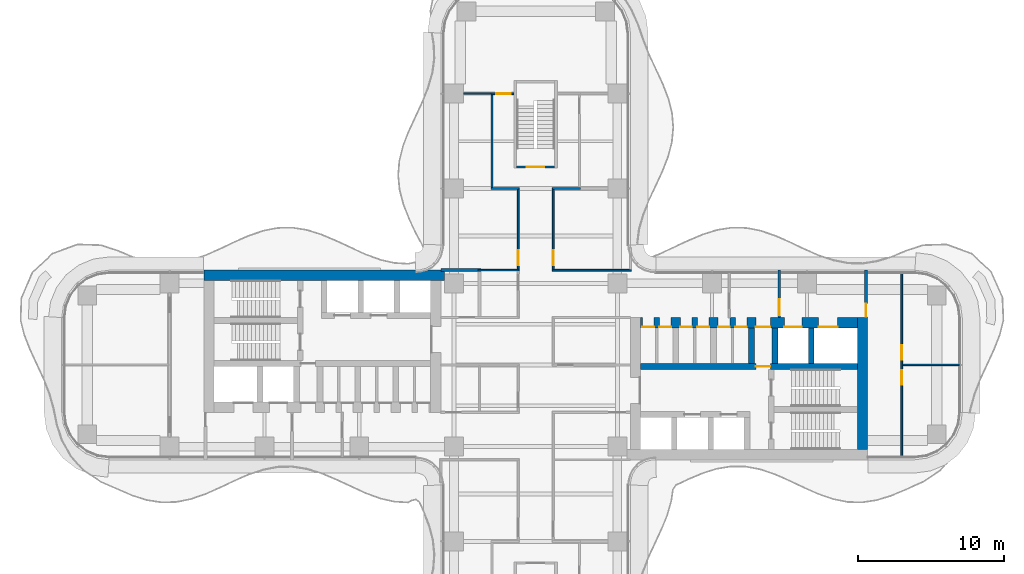
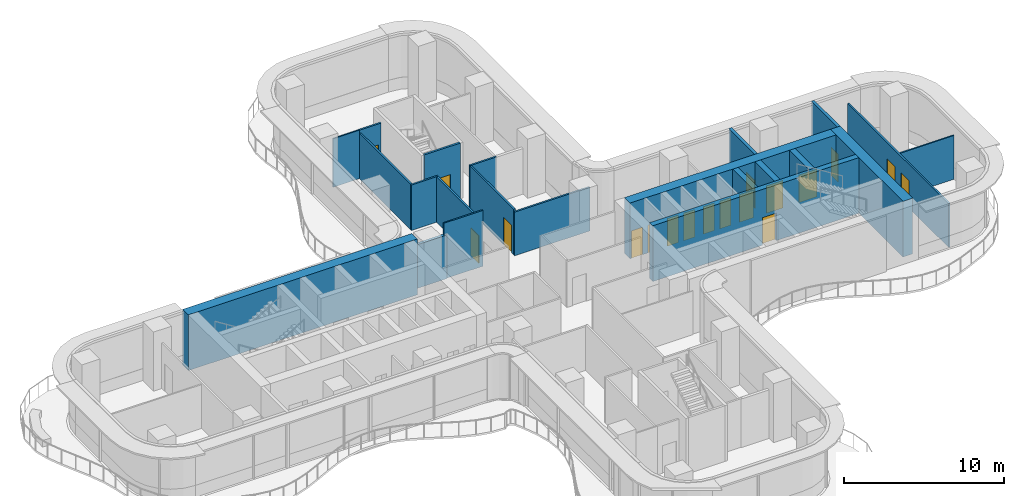
# One storey, part 17 of 20: 22 walls, 18 doors, 18 openings.
"""IFC4 building model written with IfcOpenShell, lengths in metres."""

from ifc_helpers import new_model, si_unit, direction, frame, frame_2d, origin, place, context, subcontext, project, spatial, rectangle, extrude, source, transform, mapped, material, layer, layer_set, type_object, element, fill, save


model = new_model("IFC4")

# Units and contexts
model_context = context("Model", 3, precision=1e-05, world=origin(), true_north=direction((0.0, 1.0)))
body_context = subcontext(model_context, "Body", "Model", "MODEL_VIEW")
ifc_project = project(units=[si_unit("LENGTHUNIT", "METRE"), si_unit("AREAUNIT", "SQUARE_METRE"), si_unit("VOLUMEUNIT", "CUBIC_METRE"), si_unit("PLANEANGLEUNIT", "RADIAN"), si_unit("MASSUNIT", "GRAM", prefix="KILO")], contexts=[model_context])

# Site, building, storey
site_placement = place(None, origin())
site = spatial("IfcSite", under=ifc_project, at=site_placement, CompositionType="ELEMENT")
building_placement = place(site_placement, origin())
building = spatial("IfcBuilding", under=site, at=building_placement, Name="Trellis Farm Tower", CompositionType="ELEMENT")
storey_placement = place(building_placement, frame((0.0, 0.0, 142.5)))
storey = spatial("IfcBuildingStorey", under=building, at=storey_placement, Name="L30", CompositionType="ELEMENT", Elevation=142.5)

# Walls
ifc_material_1 = material(Name="Concrete C70/85", Category="concrete")
ifc_layer_1 = layer(ifc_material_1, 0.699951171875)
ifc_layer_set_1 = layer_set([ifc_layer_1], Name="CORE OUTER WALL 700 CONCRETE C70/85")
wall_type_1 = type_object("IfcWallType", Name="CORE OUTER WALL 700 CONCRETE C70/85", PredefinedType="SHEAR", material=ifc_layer_set_1)
shared_shape_1 = source(origin(), body_context, "Body", "SweptSolid", [
    extrude(rectangle(XDim=9.050048828125, YDim=0.699951171875, at=frame_2d((4.52490234375, 0.0))), origin(), (0.0, 0.0, 1.0), 4.25),
])
wall_1_placement = place(storey_placement, frame((22.39990234375, -5.800048828125, 0.0), z_axis=(0.0, 0.0, 1.0), x_axis=(0.0, 1.0, 0.0)))
element("IfcWall", 1, at=wall_1_placement, inside=storey, type_object=wall_type_1, Name="Core wall", PredefinedType="SHEAR", context=body_context, shape_type="MappedRepresentation", body=[
    mapped(shared_shape_1, transform((0.0, 0.0, 0.0))),
])
ifc_layer_2 = layer(ifc_material_1, 0.39990234375)
ifc_layer_set_2 = layer_set([ifc_layer_2], Name="CORE INNER WALL 400 CONCRETE C70/85")
wall_type_2 = type_object("IfcWallType", Name="CORE INNER WALL 400 CONCRETE C70/85", PredefinedType="SHEAR", material=ifc_layer_set_2)
shared_shape_2 = source(origin(), body_context, "Body", "SweptSolid", [
    extrude(rectangle(XDim=2.449951171875, YDim=0.39990234375, at=frame_2d((1.22509765625, 0.0))), origin(), (0.0, 0.0, 1.0), 4.25),
])
for number, where, z_axis, x_axis, name in (
    (2, (14.800048828125, 0.10009765625, 0.0), (0.0, 0.0, 1.0), (0.0, 1.0, 0.0), "Core wall"),
    (3, (16.39990234375, 0.10009765625, 0.0), (0.0, 0.0, 1.0), (0.0, 1.0, 0.0), "Core wall"),
    (4, (18.89990234375, 0.10009765625, 0.0), (0.0, 0.0, 1.0), (0.0, 1.0, 0.0), "Core wall"),
):
    element("IfcWall", number, at=place(storey_placement, frame(where, z_axis=z_axis, x_axis=x_axis)), inside=storey, type_object=wall_type_2, Name=name, PredefinedType="SHEAR", context=body_context, shape_type="MappedRepresentation", body=[
        mapped(shared_shape_2, transform((0.0, 0.0, 0.0))),
    ])

# Wall, opening, door
ifc_material_2 = material(Name="Masonry blockwork", Category="masonry")
ifc_layer_3 = layer(ifc_material_2, 0.199951171875)
ifc_layer_set_3 = layer_set([ifc_layer_3], Name="FIRE LOBBY PARTITION 200 BLOCKWORK")
wall_type_3 = type_object("IfcWallType", Name="FIRE LOBBY PARTITION 200 BLOCKWORK", PredefinedType="PARTITIONING", material=ifc_layer_set_3)
shared_shape_3 = source(origin(), body_context, "Body", "SweptSolid", [
    extrude(rectangle(XDim=3.25, YDim=0.199951171875, at=frame_2d((1.625, 0.0))), origin(), (0.0, 0.0, 1.0), 4.25),
])
wall_2_placement = place(storey_placement, frame((16.699951171875, 3.25, 0.0), z_axis=(0.0, 0.0, 1.0), x_axis=(0.0, 1.0, 0.0)))
wall_2 = element("IfcWall", 5, at=wall_2_placement, inside=storey, type_object=wall_type_3, Name="Fire-fighting lobby partition", PredefinedType="PARTITIONING", context=body_context, shape_type="MappedRepresentation", body=[
    mapped(shared_shape_3, transform((0.0, 0.0, 0.0))),
])
shared_shape_4 = source(origin(), body_context, "Body", "SweptSolid", [
    extrude(rectangle(XDim=1.10009765625, YDim=2.10009765625, at=frame_2d((0.550048828125, 1.050048828125))), frame((0.0, 0.110107421875, 0.0), z_axis=(0.0, -1.0, 0.0), x_axis=(1.0, 0.0, 0.0)), (0.0, 0.0, 1.0), 0.22021484375),
])
opening_1_placement = place(wall_2_placement, frame((0.14990234375, 0.0, 0.0)))
opening_1 = element("IfcOpeningElement", 6, at=opening_1_placement, cuts=wall_2, Name="Opening DC7", PredefinedType="OPENING", context=body_context, shape_type="MappedRepresentation", body=[
    mapped(shared_shape_4, transform((0.0, 0.0, 0.0))),
])
ifc_material_3 = material(Name="Steel", Category="steel")
door_type_1 = type_object("IfcDoorType", Name="CORE FIRE DOOR 1100 X 2100", OperationType="NOTDEFINED", PredefinedType="DOOR", material=ifc_material_3)
shared_shape_5 = source(origin(), body_context, "Body", "SweptSolid", [
    extrude(rectangle(XDim=1.10009765625, YDim=2.10009765625, at=frame_2d((0.550048828125, 1.050048828125))), frame((0.0, 0.02490234375, 0.0), z_axis=(0.0, -1.0, 0.0), x_axis=(1.0, 0.0, 0.0)), (0.0, 0.0, 1.0), 0.050048828125),
])
door_1_placement = place(opening_1_placement, origin())
door_1 = element("IfcDoor", 7, at=door_1_placement, inside=storey, type_object=door_type_1, Name="Core door", OperationType="SINGLE_SWING_RIGHT", OverallHeight=2.10009765625, OverallWidth=1.10009765625, PredefinedType="DOOR", context=body_context, shape_type="MappedRepresentation", body=[
    mapped(shared_shape_5, transform((0.0, 0.0, 0.0))),
])
fill(opening_1, door_1)

wall_3_placement = place(storey_placement, frame((22.64990234375, 3.25, 0.0), z_axis=(0.0, 0.0, 1.0), x_axis=(0.0, 1.0, 0.0)))
wall_3 = element("IfcWall", 8, at=wall_3_placement, inside=storey, type_object=wall_type_3, Name="Fire-fighting lobby partition", PredefinedType="PARTITIONING", context=body_context, shape_type="MappedRepresentation", body=[
    mapped(shared_shape_3, transform((0.0, 0.0, 0.0))),
])
shared_shape_6 = source(origin(), body_context, "Body", "SweptSolid", [
    extrude(rectangle(XDim=0.89990234375, YDim=2.10009765625, at=frame_2d((0.449951171875, 1.050048828125))), frame((0.0, 0.110107421875, 0.0), z_axis=(0.0, -1.0, 0.0), x_axis=(1.0, 0.0, 0.0)), (0.0, 0.0, 1.0), 0.22021484375),
])
opening_2_placement = place(wall_3_placement, frame((0.050048828125, 0.0, 0.0)))
opening_2 = element("IfcOpeningElement", 9, at=opening_2_placement, cuts=wall_3, Name="Opening DC8", PredefinedType="OPENING", context=body_context, shape_type="MappedRepresentation", body=[
    mapped(shared_shape_6, transform((0.0, 0.0, 0.0))),
])
door_type_2 = type_object("IfcDoorType", Name="CORE FIRE DOOR 900 X 2100", OperationType="NOTDEFINED", PredefinedType="DOOR", material=ifc_material_3)
shared_shape_7 = source(origin(), body_context, "Body", "SweptSolid", [
    extrude(rectangle(XDim=0.89990234375, YDim=2.10009765625, at=frame_2d((0.449951171875, 1.050048828125))), frame((0.0, 0.02490234375, 0.0), z_axis=(0.0, -1.0, 0.0), x_axis=(1.0, 0.0, 0.0)), (0.0, 0.0, 1.0), 0.050048828125),
])
door_2_placement = place(opening_2_placement, origin())
door_2 = element("IfcDoor", 10, at=door_2_placement, inside=storey, type_object=door_type_2, Name="Core door", OperationType="SINGLE_SWING_RIGHT", OverallHeight=2.10009765625, OverallWidth=0.89990234375, PredefinedType="DOOR", context=body_context, shape_type="MappedRepresentation", body=[
    mapped(shared_shape_7, transform((0.0, 0.0, 0.0))),
])
fill(opening_2, door_2)

# Wall, openings, doors
shared_shape_8 = source(origin(), body_context, "Body", "SweptSolid", [
    extrude(rectangle(XDim=14.85009765625, YDim=0.699951171875, at=frame_2d((7.425048828125, 0.0))), origin(), (0.0, 0.0, 1.0), 4.25),
])
wall_4_placement = place(storey_placement, frame((7.199951171875, 2.89990234375, 0.0), z_axis=(0.0, 0.0, 1.0), x_axis=(1.0, 0.0, 0.0)))
wall_4 = element("IfcWall", 11, at=wall_4_placement, inside=storey, type_object=wall_type_1, Name="Core wall", PredefinedType="SHEAR", context=body_context, shape_type="MappedRepresentation", body=[
    mapped(shared_shape_8, transform((0.0, 0.0, 0.0))),
])
shared_shape_9 = source(origin(), body_context, "Body", "SweptSolid", [
    extrude(rectangle(XDim=1.300048828125, YDim=2.10009765625, at=frame_2d((0.64990234375, 1.050048828125))), frame((0.0, 0.360107421875, 0.0), z_axis=(0.0, -1.0, 0.0), x_axis=(1.0, 0.0, 0.0)), (0.0, 0.0, 1.0), 0.72021484375),
])
opening_3_placement = place(wall_4_placement, frame((12.199951171875, 0.0, 0.0)))
opening_3 = element("IfcOpeningElement", 12, at=opening_3_placement, cuts=wall_4, Name="Opening LD7", PredefinedType="OPENING", context=body_context, shape_type="MappedRepresentation", body=[
    mapped(shared_shape_9, transform((0.0, 0.0, 0.0))),
])
shared_shape_10 = source(origin(), body_context, "Body", "SweptSolid", [
    extrude(rectangle(XDim=1.199951171875, YDim=2.10009765625, at=frame_2d((0.60009765625, 1.050048828125))), frame((0.0, 0.360107421875, 0.0), z_axis=(0.0, -1.0, 0.0), x_axis=(1.0, 0.0, 0.0)), (0.0, 0.0, 1.0), 0.72021484375),
])
opening_4_placement = place(wall_4_placement, frame((9.85009765625, 0.0, 0.0)))
opening_4 = element("IfcOpeningElement", 13, at=opening_4_placement, cuts=wall_4, Name="Opening LD8", PredefinedType="OPENING", context=body_context, shape_type="MappedRepresentation", body=[
    mapped(shared_shape_10, transform((0.0, 0.0, 0.0))),
])
shared_shape_11 = source(origin(), body_context, "Body", "SweptSolid", [
    extrude(rectangle(XDim=1.0, YDim=2.10009765625, at=frame_2d((0.5, 1.050048828125))), frame((0.0, 0.360107421875, 0.0), z_axis=(0.0, -1.0, 0.0), x_axis=(1.0, 0.0, 0.0)), (0.0, 0.0, 1.0), 0.72021484375),
])
opening_5_placement = place(wall_4_placement, frame((7.89990234375, 0.0, 0.0)))
opening_5 = element("IfcOpeningElement", 14, at=opening_5_placement, cuts=wall_4, Name="Opening DC6", PredefinedType="OPENING", context=body_context, shape_type="MappedRepresentation", body=[
    mapped(shared_shape_11, transform((0.0, 0.0, 0.0))),
])
shared_shape_12 = source(origin(), body_context, "Body", "SweptSolid", [
    extrude(rectangle(XDim=0.800048828125, YDim=2.10009765625, at=frame_2d((0.39990234375, 1.050048828125))), frame((0.0, 0.360107421875, 0.0), z_axis=(0.0, -1.0, 0.0), x_axis=(1.0, 0.0, 0.0)), (0.0, 0.0, 1.0), 0.72021484375),
])
opening_6_placement = place(wall_4_placement, frame((0.112548828125, 0.0, 0.0)))
opening_6 = element("IfcOpeningElement", 15, at=opening_6_placement, cuts=wall_4, Name="Opening DC9", PredefinedType="OPENING", context=body_context, shape_type="MappedRepresentation", body=[
    mapped(shared_shape_12, transform((0.0, 0.0, 0.0))),
])
opening_7_placement = place(wall_4_placement, frame((1.28759765625, 0.0, 0.0)))
opening_7 = element("IfcOpeningElement", 16, at=opening_7_placement, cuts=wall_4, Name="Opening DC16", PredefinedType="OPENING", context=body_context, shape_type="MappedRepresentation", body=[
    mapped(shared_shape_12, transform((0.0, 0.0, 0.0))),
])
opening_8_placement = place(wall_4_placement, frame((2.71240234375, 0.0, 0.0)))
opening_8 = element("IfcOpeningElement", 17, at=opening_8_placement, cuts=wall_4, Name="Opening DC21", PredefinedType="OPENING", context=body_context, shape_type="MappedRepresentation", body=[
    mapped(shared_shape_12, transform((0.0, 0.0, 0.0))),
])
opening_9_placement = place(wall_4_placement, frame((3.887451171875, 0.0, 0.0)))
opening_9 = element("IfcOpeningElement", 18, at=opening_9_placement, cuts=wall_4, Name="Opening DC28", PredefinedType="OPENING", context=body_context, shape_type="MappedRepresentation", body=[
    mapped(shared_shape_12, transform((0.0, 0.0, 0.0))),
])
opening_10_placement = place(wall_4_placement, frame((5.3125, 0.0, 0.0)))
opening_10 = element("IfcOpeningElement", 19, at=opening_10_placement, cuts=wall_4, Name="Opening DC33", PredefinedType="OPENING", context=body_context, shape_type="MappedRepresentation", body=[
    mapped(shared_shape_12, transform((0.0, 0.0, 0.0))),
])
opening_11_placement = place(wall_4_placement, frame((6.487548828125, 0.0, 0.0)))
opening_11 = element("IfcOpeningElement", 20, at=opening_11_placement, cuts=wall_4, Name="Opening DC40", PredefinedType="OPENING", context=body_context, shape_type="MappedRepresentation", body=[
    mapped(shared_shape_12, transform((0.0, 0.0, 0.0))),
])
door_type_3 = type_object("IfcDoorType", Name="CORE FIRE DOOR 1000 X 2100", OperationType="NOTDEFINED", PredefinedType="DOOR", material=ifc_material_3)
shared_shape_13 = source(origin(), body_context, "Body", "SweptSolid", [
    extrude(rectangle(XDim=1.0, YDim=2.10009765625, at=frame_2d((0.5, 1.050048828125))), frame((0.0, -0.27490234375, 0.0), z_axis=(0.0, -1.0, 0.0), x_axis=(1.0, 0.0, 0.0)), (0.0, 0.0, 1.0), 0.050048828125),
])
door_3_placement = place(opening_5_placement, origin())
door_3 = element("IfcDoor", 21, at=door_3_placement, inside=storey, type_object=door_type_3, Name="Core door", OperationType="SINGLE_SWING_LEFT", OverallHeight=2.10009765625, OverallWidth=1.0, PredefinedType="DOOR", context=body_context, shape_type="MappedRepresentation", body=[
    mapped(shared_shape_13, transform((0.0, 0.0, 0.0))),
])
fill(opening_5, door_3)
ifc_material_4 = material(Name="Stainless steel", Category="steel")
door_type_4 = type_object("IfcDoorType", Name="LIFT LANDING DOOR 1300 X 2100", OperationType="DOUBLE_DOOR_SLIDING", PredefinedType="DOOR", material=ifc_material_4)
shared_shape_14 = source(origin(), body_context, "Body", "SweptSolid", [
    extrude(rectangle(XDim=1.300048828125, YDim=2.10009765625, at=frame_2d((0.64990234375, 1.050048828125))), frame((0.0, -0.27490234375, 0.0), z_axis=(0.0, -1.0, 0.0), x_axis=(1.0, 0.0, 0.0)), (0.0, 0.0, 1.0), 0.050048828125),
])
door_4_placement = place(opening_3_placement, origin())
door_4 = element("IfcDoor", 22, at=door_4_placement, inside=storey, type_object=door_type_4, Name="Lift landing door", OperationType="DOUBLE_DOOR_SLIDING", OverallHeight=2.10009765625, OverallWidth=1.300048828125, PredefinedType="DOOR", context=body_context, shape_type="MappedRepresentation", body=[
    mapped(shared_shape_14, transform((0.0, 0.0, 0.0))),
])
fill(opening_3, door_4)
door_type_5 = type_object("IfcDoorType", Name="LIFT LANDING DOOR 1200 X 2100", OperationType="DOUBLE_DOOR_SLIDING", PredefinedType="DOOR", material=ifc_material_4)
shared_shape_15 = source(origin(), body_context, "Body", "SweptSolid", [
    extrude(rectangle(XDim=1.199951171875, YDim=2.10009765625, at=frame_2d((0.60009765625, 1.050048828125))), frame((0.0, -0.27490234375, 0.0), z_axis=(0.0, -1.0, 0.0), x_axis=(1.0, 0.0, 0.0)), (0.0, 0.0, 1.0), 0.050048828125),
])
door_5_placement = place(opening_4_placement, origin())
door_5 = element("IfcDoor", 23, at=door_5_placement, inside=storey, type_object=door_type_5, Name="Lift landing door", OperationType="DOUBLE_DOOR_SLIDING", OverallHeight=2.10009765625, OverallWidth=1.199951171875, PredefinedType="DOOR", context=body_context, shape_type="MappedRepresentation", body=[
    mapped(shared_shape_15, transform((0.0, 0.0, 0.0))),
])
fill(opening_4, door_5)
door_type_6 = type_object("IfcDoorType", Name="CORE FIRE DOOR 800 X 2100", OperationType="NOTDEFINED", PredefinedType="DOOR", material=ifc_material_3)
shared_shape_16 = source(origin(), body_context, "Body", "SweptSolid", [
    extrude(rectangle(XDim=0.800048828125, YDim=2.10009765625, at=frame_2d((0.39990234375, 1.050048828125))), frame((0.0, -0.27490234375, 0.0), z_axis=(0.0, -1.0, 0.0), x_axis=(1.0, 0.0, 0.0)), (0.0, 0.0, 1.0), 0.050048828125),
])
door_6_placement = place(opening_6_placement, origin())
door_6 = element("IfcDoor", 24, at=door_6_placement, inside=storey, type_object=door_type_6, Name="Core door", OperationType="SINGLE_SWING_LEFT", OverallHeight=2.10009765625, OverallWidth=0.800048828125, PredefinedType="DOOR", context=body_context, shape_type="MappedRepresentation", body=[
    mapped(shared_shape_16, transform((0.0, 0.0, 0.0))),
])
fill(opening_6, door_6)
door_7_placement = place(opening_7_placement, origin())
door_7 = element("IfcDoor", 25, at=door_7_placement, inside=storey, type_object=door_type_6, Name="Core door", OperationType="SINGLE_SWING_RIGHT", OverallHeight=2.10009765625, OverallWidth=0.800048828125, PredefinedType="DOOR", context=body_context, shape_type="MappedRepresentation", body=[
    mapped(shared_shape_16, transform((0.0, 0.0, 0.0))),
])
fill(opening_7, door_7)
door_8_placement = place(opening_8_placement, origin())
door_8 = element("IfcDoor", 26, at=door_8_placement, inside=storey, type_object=door_type_6, Name="Core door", OperationType="SINGLE_SWING_LEFT", OverallHeight=2.10009765625, OverallWidth=0.800048828125, PredefinedType="DOOR", context=body_context, shape_type="MappedRepresentation", body=[
    mapped(shared_shape_16, transform((0.0, 0.0, 0.0))),
])
fill(opening_8, door_8)
door_9_placement = place(opening_9_placement, origin())
door_9 = element("IfcDoor", 27, at=door_9_placement, inside=storey, type_object=door_type_6, Name="Core door", OperationType="SINGLE_SWING_RIGHT", OverallHeight=2.10009765625, OverallWidth=0.800048828125, PredefinedType="DOOR", context=body_context, shape_type="MappedRepresentation", body=[
    mapped(shared_shape_16, transform((0.0, 0.0, 0.0))),
])
fill(opening_9, door_9)
door_10_placement = place(opening_10_placement, origin())
door_10 = element("IfcDoor", 28, at=door_10_placement, inside=storey, type_object=door_type_6, Name="Core door", OperationType="SINGLE_SWING_LEFT", OverallHeight=2.10009765625, OverallWidth=0.800048828125, PredefinedType="DOOR", context=body_context, shape_type="MappedRepresentation", body=[
    mapped(shared_shape_16, transform((0.0, 0.0, 0.0))),
])
fill(opening_10, door_10)
door_11_placement = place(opening_11_placement, origin())
door_11 = element("IfcDoor", 29, at=door_11_placement, inside=storey, type_object=door_type_6, Name="Core door", OperationType="SINGLE_SWING_RIGHT", OverallHeight=2.10009765625, OverallWidth=0.800048828125, PredefinedType="DOOR", context=body_context, shape_type="MappedRepresentation", body=[
    mapped(shared_shape_16, transform((0.0, 0.0, 0.0))),
])
fill(opening_11, door_11)

# Wall, opening, door
shared_shape_17 = source(origin(), body_context, "Body", "SweptSolid", [
    extrude(rectangle(XDim=14.85009765625, YDim=0.39990234375, at=frame_2d((7.425048828125, 0.0))), origin(), (0.0, 0.0, 1.0), 4.25),
])
wall_5_placement = place(storey_placement, frame((7.199951171875, -0.10009765625, 0.0), z_axis=(0.0, 0.0, 1.0), x_axis=(1.0, 0.0, 0.0)))
wall_5 = element("IfcWall", 30, at=wall_5_placement, inside=storey, type_object=wall_type_2, Name="Core wall", PredefinedType="SHEAR", context=body_context, shape_type="MappedRepresentation", body=[
    mapped(shared_shape_17, transform((0.0, 0.0, 0.0))),
])
shared_shape_18 = source(origin(), body_context, "Body", "SweptSolid", [
    extrude(rectangle(XDim=1.0, YDim=2.10009765625, at=frame_2d((0.5, 1.050048828125))), frame((0.0, 0.2099609375, 0.0), z_axis=(0.0, -1.0, 0.0), x_axis=(1.0, 0.0, 0.0)), (0.0, 0.0, 1.0), 0.419921875),
])
opening_12_placement = place(wall_5_placement, frame((7.89990234375, 0.0, 0.0)))
opening_12 = element("IfcOpeningElement", 31, at=opening_12_placement, cuts=wall_5, Name="Opening DC5", PredefinedType="OPENING", context=body_context, shape_type="MappedRepresentation", body=[
    mapped(shared_shape_18, transform((0.0, 0.0, 0.0))),
])
shared_shape_19 = source(origin(), body_context, "Body", "SweptSolid", [
    extrude(rectangle(XDim=1.0, YDim=2.10009765625, at=frame_2d((0.5, 1.050048828125))), frame((0.0, 0.02490234375, 0.0), z_axis=(0.0, -1.0, 0.0), x_axis=(1.0, 0.0, 0.0)), (0.0, 0.0, 1.0), 0.050048828125),
])
door_12_placement = place(opening_12_placement, origin())
door_12 = element("IfcDoor", 32, at=door_12_placement, inside=storey, type_object=door_type_3, Name="Core door", OperationType="SINGLE_SWING_RIGHT", OverallHeight=2.10009765625, OverallWidth=1.0, PredefinedType="DOOR", context=body_context, shape_type="MappedRepresentation", body=[
    mapped(shared_shape_19, transform((0.0, 0.0, 0.0))),
])
fill(opening_12, door_12)

# Wall
shared_shape_20 = source(origin(), body_context, "Body", "SweptSolid", [
    extrude(rectangle(XDim=16.5, YDim=0.699951171875, at=frame_2d((8.25, 0.0))), origin(), (0.0, 0.0, 1.0), 4.25),
])
wall_6_placement = place(storey_placement, frame((-6.25, 6.14990234375, 0.0), z_axis=(0.0, 0.0, 1.0), x_axis=(-1.0, 0.0, 0.0)))
element("IfcWall", 33, at=wall_6_placement, inside=storey, type_object=wall_type_1, Name="Core wall", PredefinedType="SHEAR", context=body_context, shape_type="MappedRepresentation", body=[
    mapped(shared_shape_20, transform((0.0, 0.0, 0.0))),
])

# Wall, opening, door
ifc_layer_4 = layer(ifc_material_1, 0.14990234375)
ifc_layer_set_4 = layer_set([ifc_layer_4], Name="CORE STAIR ENCLOSURE WALL 150 CONCRETE C70/85")
wall_type_4 = type_object("IfcWallType", Name="CORE STAIR ENCLOSURE WALL 150 CONCRETE C70/85", PredefinedType="SHEAR", material=ifc_layer_set_4)
shared_shape_21 = source(origin(), body_context, "Body", "SweptSolid", [
    extrude(rectangle(XDim=2.60009765625, YDim=0.14990234375, at=frame_2d((1.300048828125, 0.0))), origin(), (0.0, 0.0, 1.0), 4.25),
])
wall_7_placement = place(storey_placement, frame((-1.300048828125, 13.574951171875, 0.0), z_axis=(0.0, 0.0, 1.0), x_axis=(1.0, 0.0, 0.0)))
wall_7 = element("IfcWall", 34, at=wall_7_placement, inside=storey, type_object=wall_type_4, Name="Stair enclosure wall", PredefinedType="SHEAR", context=body_context, shape_type="MappedRepresentation", body=[
    mapped(shared_shape_21, transform((0.0, 0.0, 0.0))),
])
shared_shape_22 = source(origin(), body_context, "Body", "SweptSolid", [
    extrude(rectangle(XDim=1.199951171875, YDim=2.10009765625, at=frame_2d((0.60009765625, 1.050048828125))), frame((0.0, 0.0849609375, 0.0), z_axis=(0.0, -1.0, 0.0), x_axis=(1.0, 0.0, 0.0)), (0.0, 0.0, 1.0), 0.169921875),
])
opening_13_placement = place(wall_7_placement, frame((0.699951171875, 0.0, 0.0)))
opening_13 = element("IfcOpeningElement", 35, at=opening_13_placement, cuts=wall_7, Name="Opening DC173", PredefinedType="OPENING", context=body_context, shape_type="MappedRepresentation", body=[
    mapped(shared_shape_22, transform((0.0, 0.0, 0.0))),
])
door_type_7 = type_object("IfcDoorType", Name="CORE FIRE DOOR 1200 X 2100", OperationType="NOTDEFINED", PredefinedType="DOOR", material=ifc_material_3)
shared_shape_23 = source(origin(), body_context, "Body", "SweptSolid", [
    extrude(rectangle(XDim=1.199951171875, YDim=2.10009765625, at=frame_2d((0.60009765625, 1.050048828125))), frame((0.0, 0.02490234375, 0.0), z_axis=(0.0, -1.0, 0.0), x_axis=(1.0, 0.0, 0.0)), (0.0, 0.0, 1.0), 0.050048828125),
])
door_13_placement = place(opening_13_placement, origin())
door_13 = element("IfcDoor", 36, at=door_13_placement, inside=storey, type_object=door_type_7, Name="Core door", OperationType="SINGLE_SWING_LEFT", OverallHeight=2.10009765625, OverallWidth=1.199951171875, PredefinedType="DOOR", context=body_context, shape_type="MappedRepresentation", body=[
    mapped(shared_shape_23, transform((0.0, 0.0, 0.0))),
])
fill(opening_13, door_13)

ifc_material_5 = material(Name="Plasterboard on steel studs, mineral wool", Category="steel")
ifc_layer_5 = layer(ifc_material_5, 0.125)
ifc_layer_set_5 = layer_set([ifc_layer_5], Name="PARTITION 125 STUD EI 60")
wall_type_5 = type_object("IfcWallType", Name="PARTITION 125 STUD EI 60", PredefinedType="PARTITIONING", material=ifc_layer_set_5)
shared_shape_24 = source(origin(), body_context, "Body", "SweptSolid", [
    extrude(rectangle(XDim=5.47509765625, YDim=0.125, at=frame_2d((2.737548828125, 0.0))), origin(), (0.0, 0.0, 1.0), 3.4677734375),
])
wall_8_placement = place(storey_placement, frame((1.199951171875, 12.03759765625, 0.0), z_axis=(0.0, 0.0, 1.0), x_axis=(0.0, -1.0, 0.0)))
wall_8 = element("IfcWall", 37, at=wall_8_placement, inside=storey, type_object=wall_type_5, Name="Partition PW1", PredefinedType="PARTITIONING", context=body_context, shape_type="MappedRepresentation", body=[
    mapped(shared_shape_24, transform((0.0, 0.0, 0.0))),
])
shared_shape_25 = source(origin(), body_context, "Body", "SweptSolid", [
    extrude(rectangle(XDim=1.0, YDim=2.10009765625, at=frame_2d((0.5, 1.050048828125))), frame((0.0, 0.072509765625, 0.0), z_axis=(0.0, -1.0, 0.0), x_axis=(1.0, 0.0, 0.0)), (0.0, 0.0, 1.0), 0.14501953125),
])
opening_14_placement = place(wall_8_placement, frame((4.1875, 0.0, 0.0)))
opening_14 = element("IfcOpeningElement", 38, at=opening_14_placement, cuts=wall_8, Name="Opening D304", PredefinedType="OPENING", context=body_context, shape_type="MappedRepresentation", body=[
    mapped(shared_shape_25, transform((0.0, 0.0, 0.0))),
])
ifc_material_6 = material(Name="Fire-rated timber door leaf in a hollow metal frame", Category="wood")
door_type_8 = type_object("IfcDoorType", Name="DOOR 1000x2100 FD60", OperationType="NOTDEFINED", PredefinedType="DOOR", material=ifc_material_6)
door_14_placement = place(opening_14_placement, origin())
door_14 = element("IfcDoor", 39, at=door_14_placement, inside=storey, type_object=door_type_8, Name="Door D304", OperationType="SINGLE_SWING_RIGHT", OverallHeight=2.10009765625, OverallWidth=1.0, PredefinedType="DOOR", context=body_context, shape_type="MappedRepresentation", body=[
    mapped(shared_shape_19, transform((0.0, 0.0, 0.0))),
])
fill(opening_14, door_14)

# Walls
shared_shape_26 = source(origin(), body_context, "Body", "SweptSolid", [
    extrude(rectangle(XDim=1.925048828125, YDim=0.125, at=frame_2d((0.96240234375, 0.0))), origin(), (0.0, 0.0, 1.0), 3.4677734375),
])
for number, where, z_axis, x_axis, name in (
    (40, (-1.137451171875, 12.10009765625, 0.0), (0.0, 0.0, 1.0), (-1.0, 0.0, 0.0), "Partition PW1"),
    (41, (3.0625, 12.10009765625, 0.0), (0.0, 0.0, 1.0), (-1.0, 0.0, 0.0), "Partition PW1"),
):
    element("IfcWall", number, at=place(storey_placement, frame(where, z_axis=z_axis, x_axis=x_axis)), inside=storey, type_object=wall_type_5, Name=name, PredefinedType="PARTITIONING", context=body_context, shape_type="MappedRepresentation", body=[
        mapped(shared_shape_26, transform((0.0, 0.0, 0.0))),
    ])
shared_shape_27 = source(origin(), body_context, "Body", "SweptSolid", [
    extrude(rectangle(XDim=5.425048828125, YDim=0.125, at=frame_2d((2.71240234375, 0.0))), origin(), (0.0, 0.0, 1.0), 3.330078125),
])
wall_9_placement = place(storey_placement, frame((1.137451171875, 6.5, 0.0), z_axis=(0.0, 0.0, 1.0), x_axis=(1.0, 0.0, 0.0)))
element("IfcWall", 42, at=wall_9_placement, inside=storey, type_object=wall_type_5, Name="Partition PW1", PredefinedType="PARTITIONING", context=body_context, shape_type="MappedRepresentation", body=[
    mapped(shared_shape_27, transform((0.0, 0.0, 0.0))),
])

# Wall, opening, door
shared_shape_28 = source(origin(), body_context, "Body", "SweptSolid", [
    extrude(rectangle(XDim=5.487548828125, YDim=0.125, at=frame_2d((2.74365234375, 0.0))), origin(), (0.0, 0.0, 1.0), 3.4677734375),
])
wall_10_placement = place(storey_placement, frame((-1.199951171875, 6.550048828125, 0.0), z_axis=(0.0, 0.0, 1.0), x_axis=(0.0, 1.0, 0.0)))
wall_10 = element("IfcWall", 43, at=wall_10_placement, inside=storey, type_object=wall_type_5, Name="Partition PW1", PredefinedType="PARTITIONING", context=body_context, shape_type="MappedRepresentation", body=[
    mapped(shared_shape_28, transform((0.0, 0.0, 0.0))),
])
opening_15_placement = place(wall_10_placement, frame((0.300048828125, 0.0, 0.0)))
opening_15 = element("IfcOpeningElement", 44, at=opening_15_placement, cuts=wall_10, Name="Opening D112", PredefinedType="OPENING", context=body_context, shape_type="MappedRepresentation", body=[
    mapped(shared_shape_25, transform((0.0, 0.0, 0.0))),
])
door_type_9 = type_object("IfcDoorType", Name="DOOR 1000x2100 FD30S", OperationType="NOTDEFINED", PredefinedType="DOOR", material=ifc_material_6)
door_15_placement = place(opening_15_placement, origin())
door_15 = element("IfcDoor", 45, at=door_15_placement, inside=storey, type_object=door_type_9, Name="Door D112", OperationType="SINGLE_SWING_LEFT", OverallHeight=2.10009765625, OverallWidth=1.0, PredefinedType="DOOR", context=body_context, shape_type="MappedRepresentation", body=[
    mapped(shared_shape_19, transform((0.0, 0.0, 0.0))),
])
fill(opening_15, door_15)

shared_shape_29 = source(origin(), body_context, "Body", "SweptSolid", [
    extrude(rectangle(XDim=1.5625, YDim=0.125, at=frame_2d((0.78125, 0.0))), origin(), (0.0, 0.0, 1.0), 3.697021484375),
])
wall_11_placement = place(storey_placement, frame((-3.0625, 18.60009765625, 0.0), z_axis=(0.0, 0.0, 1.0), x_axis=(1.0, 0.0, 0.0)))
wall_11 = element("IfcWall", 46, at=wall_11_placement, inside=storey, type_object=wall_type_5, Name="Partition PW1", PredefinedType="PARTITIONING", context=body_context, shape_type="MappedRepresentation", body=[
    mapped(shared_shape_29, transform((0.0, 0.0, 0.0))),
])
opening_16_placement = place(wall_11_placement, frame((0.362548828125, 0.0, 0.0)))
opening_16 = element("IfcOpeningElement", 47, at=opening_16_placement, cuts=wall_11, Name="Opening D114", PredefinedType="OPENING", context=body_context, shape_type="MappedRepresentation", body=[
    mapped(shared_shape_25, transform((0.0, 0.0, 0.0))),
])
door_16_placement = place(opening_16_placement, origin())
door_16 = element("IfcDoor", 48, at=door_16_placement, inside=storey, type_object=door_type_9, Name="Door D114", OperationType="SINGLE_SWING_RIGHT", OverallHeight=2.10009765625, OverallWidth=1.0, PredefinedType="DOOR", context=body_context, shape_type="MappedRepresentation", body=[
    mapped(shared_shape_19, transform((0.0, 0.0, 0.0))),
])
fill(opening_16, door_16)

# Walls
shared_shape_30 = source(origin(), body_context, "Body", "SweptSolid", [
    extrude(rectangle(XDim=6.387451171875, YDim=0.125, at=frame_2d((3.19384765625, 0.0))), origin(), (0.0, 0.0, 1.0), 3.4677734375),
])
wall_12_placement = place(storey_placement, frame((-3.0, 12.16259765625, 0.0), z_axis=(0.0, 0.0, 1.0), x_axis=(0.0, 1.0, 0.0)))
element("IfcWall", 49, at=wall_12_placement, inside=storey, type_object=wall_type_5, Name="Partition PW1", PredefinedType="PARTITIONING", context=body_context, shape_type="MappedRepresentation", body=[
    mapped(shared_shape_30, transform((0.0, 0.0, 0.0))),
])
ifc_material_7 = material(Name="Plasterboard on steel studs", Category="steel")
ifc_layer_6 = layer(ifc_material_7, 0.10009765625)
ifc_layer_set_6 = layer_set([ifc_layer_6], Name="PARTITION 100 STUD EI 30")
wall_type_6 = type_object("IfcWallType", Name="PARTITION 100 STUD EI 30", PredefinedType="PARTITIONING", material=ifc_layer_set_6)
shared_shape_31 = source(origin(), body_context, "Body", "SweptSolid", [
    extrude(rectangle(XDim=2.012451171875, YDim=0.10009765625, at=frame_2d((1.00634765625, 0.0))), origin(), (0.0, 0.0, 1.0), 3.697021484375),
])
wall_13_placement = place(storey_placement, frame((-4.949951171875, 18.60009765625, 0.0), z_axis=(0.0, 0.0, 1.0), x_axis=(1.0, 0.0, 0.0)))
element("IfcWall", 50, at=wall_13_placement, inside=storey, type_object=wall_type_6, Name="Partition PW2", PredefinedType="PARTITIONING", context=body_context, shape_type="MappedRepresentation", body=[
    mapped(shared_shape_31, transform((0.0, 0.0, 0.0))),
])

# Wall, openings, doors
shared_shape_32 = source(origin(), body_context, "Body", "SweptSolid", [
    extrude(rectangle(XDim=12.60009765625, YDim=0.125, at=frame_2d((6.300048828125, 0.0))), origin(), (0.0, 0.0, 1.0), 3.330078125),
])
wall_14_placement = place(storey_placement, frame((25.10009765625, 6.300048828125, 0.0), z_axis=(0.0, 0.0, 1.0), x_axis=(0.0, -1.0, 0.0)))
wall_14 = element("IfcWall", 51, at=wall_14_placement, inside=storey, type_object=wall_type_5, Name="Partition PW1", PredefinedType="PARTITIONING", context=body_context, shape_type="MappedRepresentation", body=[
    mapped(shared_shape_32, transform((0.0, 0.0, 0.0))),
])
opening_17_placement = place(wall_14_placement, frame((6.64990234375, 0.0, 0.0)))
opening_17 = element("IfcOpeningElement", 52, at=opening_17_placement, cuts=wall_14, Name="Opening D107", PredefinedType="OPENING", context=body_context, shape_type="MappedRepresentation", body=[
    mapped(shared_shape_25, transform((0.0, 0.0, 0.0))),
])
opening_18_placement = place(wall_14_placement, frame((4.949951171875, 0.0, 0.0)))
opening_18 = element("IfcOpeningElement", 53, at=opening_18_placement, cuts=wall_14, Name="Opening D109", PredefinedType="OPENING", context=body_context, shape_type="MappedRepresentation", body=[
    mapped(shared_shape_25, transform((0.0, 0.0, 0.0))),
])
door_17_placement = place(opening_17_placement, origin())
door_17 = element("IfcDoor", 54, at=door_17_placement, inside=storey, type_object=door_type_9, Name="Door D107", OperationType="SINGLE_SWING_LEFT", OverallHeight=2.10009765625, OverallWidth=1.0, PredefinedType="DOOR", context=body_context, shape_type="MappedRepresentation", body=[
    mapped(shared_shape_19, transform((0.0, 0.0, 0.0))),
])
fill(opening_17, door_17)
door_18_placement = place(opening_18_placement, origin())
door_18 = element("IfcDoor", 55, at=door_18_placement, inside=storey, type_object=door_type_9, Name="Door D109", OperationType="SINGLE_SWING_RIGHT", OverallHeight=2.10009765625, OverallWidth=1.0, PredefinedType="DOOR", context=body_context, shape_type="MappedRepresentation", body=[
    mapped(shared_shape_19, transform((0.0, 0.0, 0.0))),
])
fill(opening_18, door_18)

# Walls
shared_shape_33 = source(origin(), body_context, "Body", "SweptSolid", [
    extrude(rectangle(XDim=3.887451171875, YDim=0.10009765625, at=frame_2d((1.94384765625, 0.0))), origin(), (0.0, 0.0, 1.0), 3.330078125),
])
wall_15_placement = place(storey_placement, frame((25.16259765625, 0.0, 0.0), z_axis=(0.0, 0.0, 1.0), x_axis=(1.0, 0.0, 0.0)))
element("IfcWall", 56, at=wall_15_placement, inside=storey, type_object=wall_type_6, Name="Partition PW2", PredefinedType="PARTITIONING", context=body_context, shape_type="MappedRepresentation", body=[
    mapped(shared_shape_33, transform((0.0, 0.0, 0.0))),
])
ifc_material_8 = material(Name="Lightweight blockwork, plastered", Category="masonry")
ifc_layer_7 = layer(ifc_material_8, 0.199951171875)
ifc_layer_set_7 = layer_set([ifc_layer_7], Name="BLOCK WALL 200 EI 120")
wall_type_7 = type_object("IfcWallType", Name="BLOCK WALL 200 EI 120", PredefinedType="PARTITIONING", material=ifc_layer_set_7)
shared_shape_34 = source(origin(), body_context, "Body", "SweptSolid", [
    extrude(rectangle(XDim=2.75, YDim=0.199951171875, at=frame_2d((1.375, 0.0))), origin(), (0.0, 0.0, 1.0), 3.330078125),
])
wall_16_placement = place(storey_placement, frame((-6.5, 6.5, 0.0), z_axis=(0.0, 0.0, 1.0), x_axis=(1.0, 0.0, 0.0)))
element("IfcWall", 57, at=wall_16_placement, inside=storey, type_object=wall_type_7, Name="Partition PW3", PredefinedType="PARTITIONING", context=body_context, shape_type="MappedRepresentation", body=[
    mapped(shared_shape_34, transform((0.0, 0.0, 0.0))),
])
shared_shape_35 = source(origin(), body_context, "Body", "SweptSolid", [
    extrude(rectangle(XDim=2.8125, YDim=0.10009765625, at=frame_2d((1.40625, 0.0))), origin(), (0.0, 0.0, 1.0), 4.25),
])
wall_17_placement = place(storey_placement, frame((-3.949951171875, 6.5, 0.0), z_axis=(0.0, 0.0, 1.0), x_axis=(1.0, 0.0, 0.0)))
element("IfcWall", 58, at=wall_17_placement, inside=storey, type_object=wall_type_6, Name="Partition PW2", PredefinedType="PARTITIONING", context=body_context, shape_type="MappedRepresentation", body=[
    mapped(shared_shape_35, transform((0.0, 0.0, 0.0))),
])

save(model, "model.ifc")
